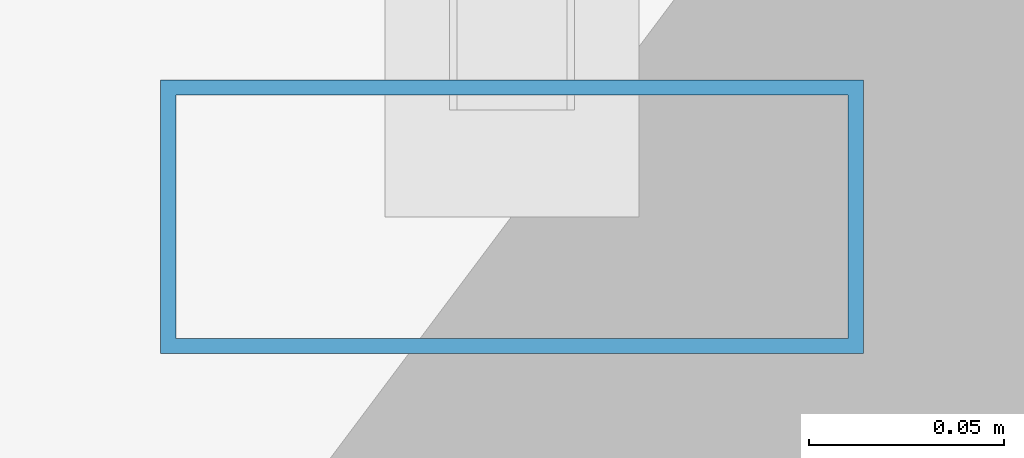
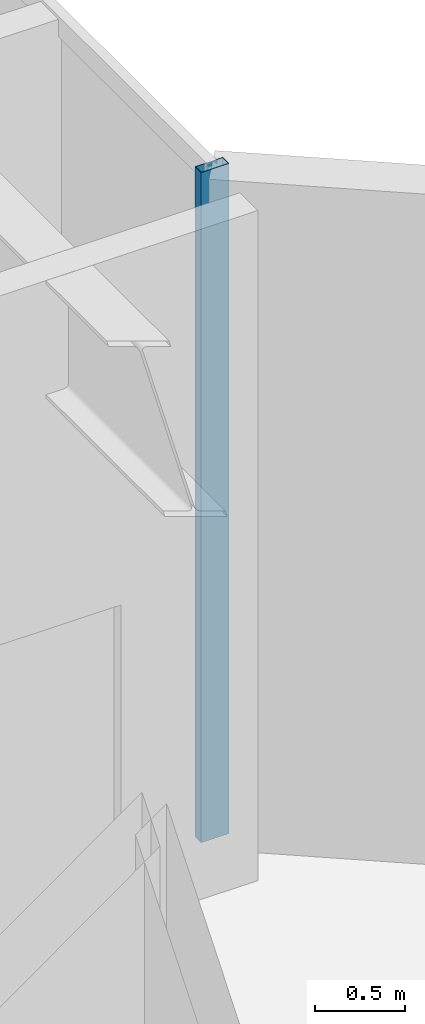
# One storey, part 10 of 21: 1 member, 1 element without a shape of its own.
"""IFC4 building model written with IfcOpenShell, lengths in metres."""

from ifc_helpers import new_model, si_unit, direction, frame, origin, origin_2d, place, context, subcontext, project, spatial, hollow_rectangle, extrude, material, layer, layer_set, material_profile, profile_set, type_object, element, aggregate, save


model = new_model("IFC4")

# Units and contexts
model_context = context("Model", 3, precision=1e-05, world=origin(), true_north=direction((0.0, 1.0)))
body_context = subcontext(model_context, "Body", "Model", "MODEL_VIEW")
ifc_project = project(units=[si_unit("LENGTHUNIT", "METRE"), si_unit("AREAUNIT", "SQUARE_METRE"), si_unit("VOLUMEUNIT", "CUBIC_METRE"), si_unit("PLANEANGLEUNIT", "RADIAN"), si_unit("MASSUNIT", "GRAM", prefix="KILO")], contexts=[model_context])

# Site, building, storey
site_placement = place(None, origin())
site = spatial("IfcSite", under=ifc_project, at=site_placement, CompositionType="ELEMENT")
building_placement = place(site_placement, origin())
building = spatial("IfcBuilding", under=site, at=building_placement, Name="Hatsunagi Terrace Concourse", CompositionType="ELEMENT")
storey_placement = place(building_placement, frame((0.0, 0.0, 234.75)))
storey = spatial("IfcBuildingStorey", under=building, at=storey_placement, Name="L62", CompositionType="ELEMENT", Elevation=234.75)

# Curtain wall, member
ifc_material_1 = material(Name="Anodised Aluminium Alloy 6063-T5", Category="aluminium")
ifc_layer = layer(ifc_material_1, 0.199951171875)
ifc_layer_set = layer_set([ifc_layer], Name="OfficeZone2_CW04")
curtain_wall_type = type_object("IfcCurtainWallType", Name="OfficeZone2_CW04", PredefinedType="NOTDEFINED", material=ifc_layer_set)
curtain_wall_placement = place(storey_placement, origin())
curtain_wall = element("IfcCurtainWall", 1, at=curtain_wall_placement, inside=storey, type_object=curtain_wall_type, Name="Unitised Curtain Wall CW-04 CW-L62-12", PredefinedType="NOTDEFINED")
ifc_material_2 = material(Name="Anodised Aluminium Alloy 6063-T5", Category="aluminium")
ifc_material_profile = material_profile(ifc_material_2, hollow_rectangle(XDim=0.070068359375, YDim=0.179931640625, WallThickness=0.00390625, at=origin_2d()), Name="ALU-MUL-180x70x4")
ifc_profile_set = profile_set([ifc_material_profile], Name="Anodised Aluminium Alloy 6063-T5")
member_type = type_object("IfcMemberType", Name="CurtainWallMullion_180x70", PredefinedType="MULLION", material=ifc_profile_set)
member_placement = place(storey_placement, frame((44.860107421875, 40.72998046875, 0.0), z_axis=(0.0, 0.0, 1.0), x_axis=(0.0, -1.0, 0.0)))
member = element("IfcMember", 2, at=member_placement, type_object=member_type, Name="Curtain Wall Mullion MUL-02", PredefinedType="MULLION", context=body_context, shape_type="SweptSolid", body=[
    extrude(hollow_rectangle(XDim=0.070068359375, YDim=0.179931640625, WallThickness=0.00390625, at=origin_2d()), origin(), (0.0, 0.0, 1.0), 4.550048828125),
])
aggregate(curtain_wall, [member])

save(model, "model.ifc")
